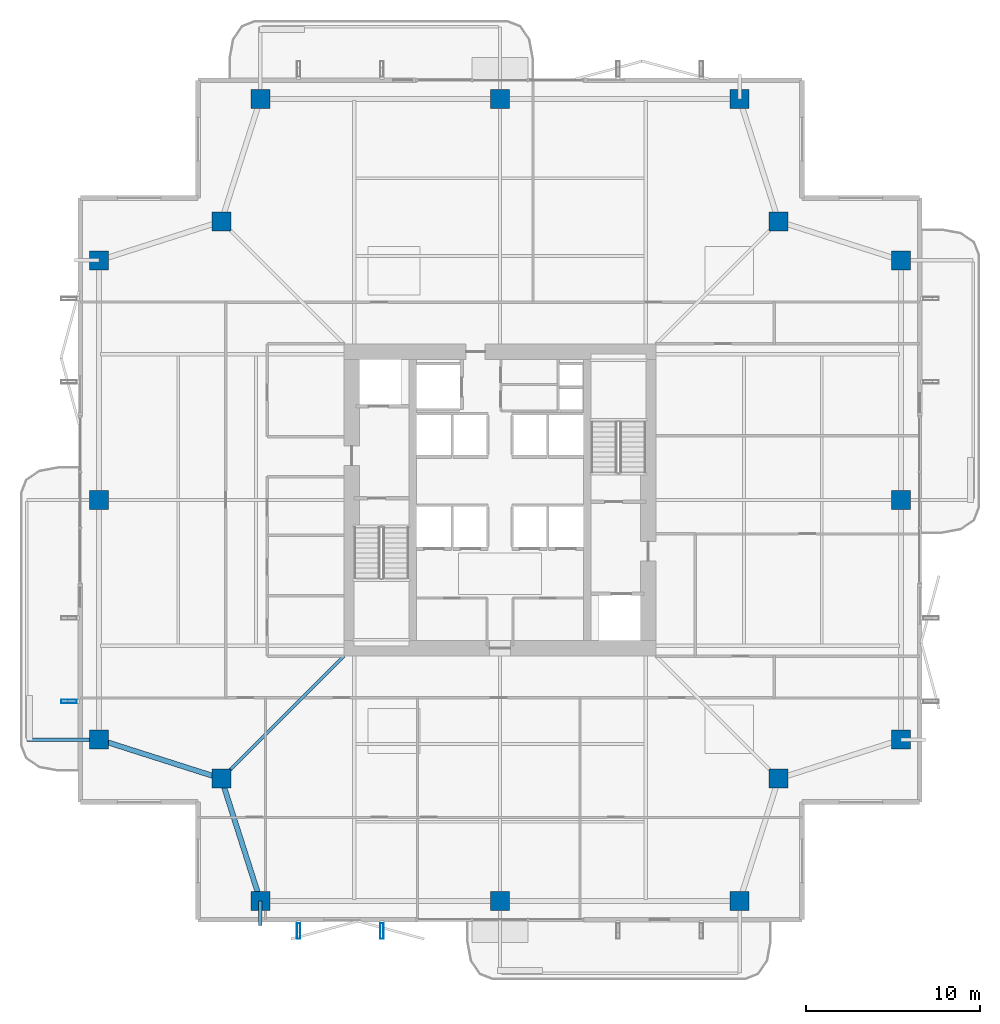
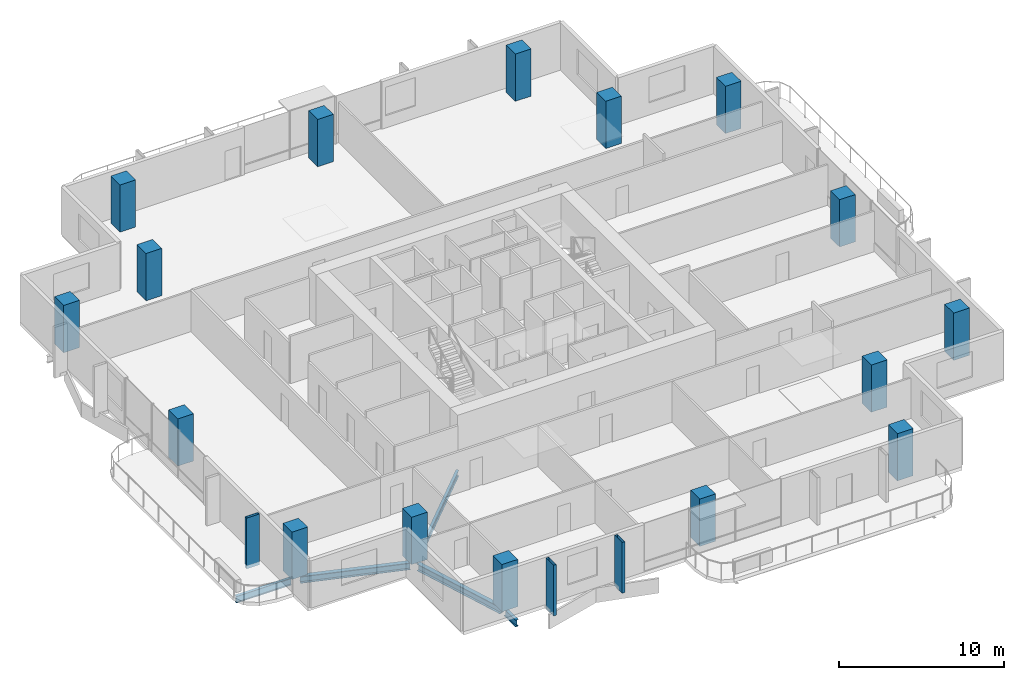
# One storey, part 1 of 25: 16 columns, 5 beams, 3 members.
"""IFC4 building model written with IfcOpenShell, lengths in metres."""

import ifcopenshell
import ifcopenshell.guid

model = None  # the IFC model being written
_history = None  # IfcOwnerHistory: only IFC2X3 demands one
_inside = {}  # id of a spatial element -> (the spatial element, [elements in it])
_under = {}  # id of a project, library or spatial element -> (it, [spatial elements below it])
_declared = {}  # id of a project -> (the project, [libraries it declares])
_typed = {}  # id of a type object -> (the type object, [elements of that type])
_made_of = {}  # id of a material, layer set ... -> (it, [elements and type objects made of it])


def new_model(schema):
    """Start an empty IFC model of exactly this schema.

    Asked for "IFC4X3", IfcOpenShell would pick the latest addendum, in which some entities
    have other attributes; the version numbers below select the first issue.
    IFC2X3 requires an IfcOwnerHistory on every rooted entity: one is made here for all.
    """
    global model, _history
    if schema == "IFC4X3":
        model = ifcopenshell.file(schema_version=(4, 3, 0, 0))
    else:
        model = ifcopenshell.file(schema=schema)
    _inside.clear()
    _under.clear()
    _declared.clear()
    _typed.clear()
    _made_of.clear()
    _history = None
    if model.schema == "IFC2X3":
        org = make("IfcOrganization", Name="unknown")
        user = make(
            "IfcPersonAndOrganization",
            ThePerson=make("IfcPerson", FamilyName="unknown"),
            TheOrganization=org,
        )
        app = make(
            "IfcApplication",
            ApplicationDeveloper=org,
            Version="unknown",
            ApplicationFullName="unknown",
            ApplicationIdentifier="unknown",
        )
        _history = make(
            "IfcOwnerHistory",
            OwningUser=user,
            OwningApplication=app,
            ChangeAction="ADDED",
            CreationDate=0,
        )
    return model


def make(cls, **values):
    """One entity of the class cls with the attributes given. An attribute that is None is left unset."""
    return model.create_entity(
        cls, **{name: value for name, value in values.items() if value is not None}
    )


def rooted(cls, **values):
    """An entity with a GlobalId (a new one), such as an element, a storey or a relation."""
    return make(cls, GlobalId=ifcopenshell.guid.new(), OwnerHistory=_history, **values)


def si_unit(unit_type, name, prefix=None):
    """IfcSIUnit, for example si_unit("LENGTHUNIT", "METRE", prefix="MILLI")."""
    return make("IfcSIUnit", UnitType=unit_type, Prefix=prefix, Name=name)


def assignment(units):
    """IfcUnitAssignment: the units of a project."""
    return None if units is None else make("IfcUnitAssignment", Units=units)


def point(xyz):
    """IfcCartesianPoint."""
    return None if xyz is None else make("IfcCartesianPoint", Coordinates=xyz)


def direction(xyz):
    """IfcDirection."""
    return None if xyz is None else make("IfcDirection", DirectionRatios=xyz)


def frame(location, z_axis=None, x_axis=None):
    """IfcAxis2Placement3D, a coordinate frame: its origin and axes. An axis left out is left unset."""
    return make(
        "IfcAxis2Placement3D",
        Location=point(location),
        Axis=direction(z_axis),
        RefDirection=direction(x_axis),
    )


def frame_2d(location, x_axis=None):
    """IfcAxis2Placement2D, a coordinate frame in the plane: its origin and x axis."""
    return make(
        "IfcAxis2Placement2D", Location=point(location), RefDirection=direction(x_axis)
    )


def origin():
    """The frame at (0, 0, 0) with its axes left unset."""
    return frame((0.0, 0.0, 0.0))


def origin_2d():
    """The frame at (0, 0) in the plane with its x axis left unset."""
    return frame_2d((0.0, 0.0))


def place(relative_to, where):
    """IfcLocalPlacement: puts the frame where relative to a parent placement (None: the world)."""
    return make(
        "IfcLocalPlacement", PlacementRelTo=relative_to, RelativePlacement=where
    )


def context(
    kind, dimensions, precision=None, world=None, true_north=None, identifier=None
):
    """IfcGeometricRepresentationContext, for example the 3D "Model" context."""
    return make(
        "IfcGeometricRepresentationContext",
        ContextIdentifier=identifier,
        ContextType=kind,
        CoordinateSpaceDimension=dimensions,
        Precision=precision,
        WorldCoordinateSystem=world,
        TrueNorth=true_north,
    )


def subcontext(parent, identifier, kind, view, scale=None):
    """IfcGeometricRepresentationSubContext, for example "Body" below "Model"."""
    return make(
        "IfcGeometricRepresentationSubContext",
        ContextIdentifier=identifier,
        ContextType=kind,
        ParentContext=parent,
        TargetScale=scale,
        TargetView=view,
    )


def project(units=None, contexts=None):
    """IfcProject with its units and contexts."""
    return rooted(
        "IfcProject",
        Name="project",
        RepresentationContexts=contexts,
        UnitsInContext=assignment(units),
    )


def spatial(cls, under=None, at=None, **own):
    """A site, building, storey or space (cls), placed at a placement, below another one or the project."""
    s = rooted(cls, ObjectPlacement=at, **own)
    if under is not None:
        _under.setdefault(under.id(), (under, []))[1].append(s)
    return s


def profile(cls, at=None, kind="AREA", **sizes):
    """A parametric profile (cls). Its sizes go by their IFC names, for example OverallWidth=200.0."""
    return make(cls, ProfileType=kind, Position=at, **sizes)


def rectangle(**sizes):
    """IfcRectangleProfileDef."""
    return profile("IfcRectangleProfileDef", **sizes)


def hollow_rectangle(**sizes):
    """IfcRectangleHollowProfileDef."""
    return profile("IfcRectangleHollowProfileDef", **sizes)


def i_section(**sizes):
    """IfcIShapeProfileDef."""
    return profile("IfcIShapeProfileDef", **sizes)


def extrude(swept, where, along, depth):
    """IfcExtrudedAreaSolid: the profile swept, set in the frame where, extruded along a direction by depth."""
    return make(
        "IfcExtrudedAreaSolid",
        SweptArea=swept,
        Position=where,
        ExtrudedDirection=direction(along),
        Depth=depth,
    )


def shape(context_of_items, identifier, shape_type, items):
    """IfcShapeRepresentation: the items that make up one representation, for example the "Body"."""
    return make(
        "IfcShapeRepresentation",
        ContextOfItems=context_of_items,
        RepresentationIdentifier=identifier,
        RepresentationType=shape_type,
        Items=items,
    )


def material(Name=None, Category=None):
    """IfcMaterial."""
    return make("IfcMaterial", Name=Name, Category=Category)


def material_profile(
    of_material, cross_section, Name=None, Category=None, Priority=None
):
    """IfcMaterialProfile: a cross section and its material."""
    return make(
        "IfcMaterialProfile",
        Name=Name,
        Material=of_material,
        Profile=cross_section,
        Priority=Priority,
        Category=Category,
    )


def profile_set(profiles, Name=None, composite=None):
    """IfcMaterialProfileSet."""
    return make(
        "IfcMaterialProfileSet",
        Name=Name,
        MaterialProfiles=profiles,
        CompositeProfile=composite,
    )


def made_of(thing, what):
    """Note that an element or type object is made of a material, layer set ...; save() writes the relation."""
    if what is not None:
        _made_of.setdefault(what.id(), (what, []))[1].append(thing)
    return thing


def type_object(cls, material=None, **own):
    """A type object (cls), such as IfcWallType, which elements share."""
    return made_of(rooted(cls, **own), material)


def element(
    cls,
    number,
    at=None,
    inside=None,
    cuts=None,
    type_object=None,
    material=None,
    context=None,
    identifier="Body",
    shape_type=None,
    held_by="IfcProductDefinitionShape",
    body=None,
    shapes=None,
    **own,
):
    """One element of the class cls, such as IfcWall. Its Tag is "e" and its number.

    at: its placement. inside: the storey or other place that contains it. cuts: it is an
    opening in that element (IfcRelVoidsElement). A single representation is given by context,
    identifier, shape_type and body (its items); several are given by shapes. held_by: the class
    of the entity that holds the representations. save() writes the other relations.
    """
    e = rooted(cls, Tag="e%d" % number, ObjectPlacement=at, **own)
    if body is not None:
        shapes = [shape(context, identifier, shape_type, body)]
    if shapes is not None:
        e.Representation = make(held_by, Representations=shapes)
    if inside is not None:
        _inside.setdefault(inside.id(), (inside, []))[1].append(e)
    if cuts is not None:
        rooted(
            "IfcRelVoidsElement", RelatingBuildingElement=cuts, RelatedOpeningElement=e
        )
    if type_object is not None:
        _typed.setdefault(type_object.id(), (type_object, []))[1].append(e)
    return made_of(e, material)


def aggregate(whole, parts):
    """IfcRelAggregates: a whole, such as a stair, and the parts it consists of."""
    return rooted("IfcRelAggregates", RelatingObject=whole, RelatedObjects=parts)


def save(model, path):
    """Write the relations noted so far, then the file.

    IfcRelAggregates (storeys below a building ...), IfcRelContainedInSpatialStructure (elements
    in a storey), IfcRelDefinesByType, IfcRelAssociatesMaterial and IfcRelDeclares: one each for
    every whole, place, type object, material and project.
    """
    for whole, parts in _under.values():
        aggregate(whole, parts)
    for where, things in _inside.values():
        rooted(
            "IfcRelContainedInSpatialStructure",
            RelatedElements=things,
            RelatingStructure=where,
        )
    for kind, things in _typed.values():
        rooted("IfcRelDefinesByType", RelatedObjects=things, RelatingType=kind)
    for what, things in _made_of.values():
        rooted("IfcRelAssociatesMaterial", RelatedObjects=things, RelatingMaterial=what)
    for by, libraries in _declared.values():
        rooted("IfcRelDeclares", RelatingContext=by, RelatedDefinitions=libraries)
    model.write(path)


model = new_model("IFC4")

# Units and contexts
model_context = context("Model", 3, precision=1e-05, world=origin(), true_north=direction((0.0, 1.0)))
body_context = subcontext(model_context, "Body", "Model", "MODEL_VIEW")
ifc_project = project(units=[si_unit("LENGTHUNIT", "METRE"), si_unit("AREAUNIT", "SQUARE_METRE"), si_unit("VOLUMEUNIT", "CUBIC_METRE"), si_unit("PLANEANGLEUNIT", "RADIAN"), si_unit("MASSUNIT", "GRAM", prefix="KILO")], contexts=[model_context])

# Site, building, storey
site_placement = place(None, origin())
site = spatial("IfcSite", under=ifc_project, at=site_placement, CompositionType="ELEMENT")
building_placement = place(site_placement, origin())
building = spatial("IfcBuilding", under=site, at=building_placement, Name="Belovzor Exchange Tower", CompositionType="ELEMENT")
storey_placement = place(building_placement, frame((0.0, 0.0, 187.050048828125)))
storey = spatial("IfcBuildingStorey", under=building, at=storey_placement, Name="L46", CompositionType="ELEMENT", Elevation=187.050048828125)

# Columns
ifc_material_1 = material(Name="Concrete C50/60", Category="concrete")
ifc_material_profile_1 = material_profile(ifc_material_1, rectangle(XDim=1.10009765625, YDim=1.10009765625, at=origin_2d()))
ifc_profile_set_1 = profile_set([ifc_material_profile_1], Name="Concrete C50/60")
column_type = type_object("IfcColumnType", Name="Reinforced Concrete Tower Column 1100x1100", PredefinedType="COLUMN", material=ifc_profile_set_1)
for number, where, z_axis, x_axis, name in (
    (1, (15.0, 5.699951171875, 0.0029296875), (0.0, 0.0, 1.0), (1.0, 0.0, 0.0), "COL-T110 Reinforced Concrete Tower Column 1100x1100"),
    (2, (28.800048828125, 5.699951171875, 0.0029296875), (0.0, 0.0, 1.0), (1.0, 0.0, 0.0), "COL-T110 Reinforced Concrete Tower Column 1100x1100"),
    (3, (42.60009765625, 5.699951171875, 0.0029296875), (0.0, 0.0, 1.0), (1.0, 0.0, 0.0), "COL-T110 Reinforced Concrete Tower Column 1100x1100"),
    (4, (51.89990234375, 15.0, 0.0029296875), (0.0, 0.0, 1.0), (1.0, 0.0, 0.0), "COL-T110 Reinforced Concrete Tower Column 1100x1100"),
    (5, (51.89990234375, 28.800048828125, 0.0029296875), (0.0, 0.0, 1.0), (1.0, 0.0, 0.0), "COL-T110 Reinforced Concrete Tower Column 1100x1100"),
    (6, (51.89990234375, 42.60009765625, 0.0029296875), (0.0, 0.0, 1.0), (1.0, 0.0, 0.0), "COL-T110 Reinforced Concrete Tower Column 1100x1100"),
    (7, (42.60009765625, 51.89990234375, 0.0029296875), (0.0, 0.0, 1.0), (1.0, 0.0, 0.0), "COL-T110 Reinforced Concrete Tower Column 1100x1100"),
    (8, (28.800048828125, 51.89990234375, 0.0029296875), (0.0, 0.0, 1.0), (1.0, 0.0, 0.0), "COL-T110 Reinforced Concrete Tower Column 1100x1100"),
    (9, (15.0, 51.89990234375, 0.0029296875), (0.0, 0.0, 1.0), (1.0, 0.0, 0.0), "COL-T110 Reinforced Concrete Tower Column 1100x1100"),
    (10, (5.699951171875, 42.60009765625, 0.0029296875), (0.0, 0.0, 1.0), (1.0, 0.0, 0.0), "COL-T110 Reinforced Concrete Tower Column 1100x1100"),
    (11, (5.699951171875, 28.800048828125, 0.0029296875), (0.0, 0.0, 1.0), (1.0, 0.0, 0.0), "COL-T110 Reinforced Concrete Tower Column 1100x1100"),
    (12, (5.699951171875, 15.0, 0.0029296875), (0.0, 0.0, 1.0), (1.0, 0.0, 0.0), "COL-T110 Reinforced Concrete Tower Column 1100x1100"),
    (13, (12.75, 12.75, 0.0029296875), (0.0, 0.0, 1.0), (1.0, 0.0, 0.0), "COL-T110 Reinforced Concrete Tower Column 1100x1100"),
    (14, (44.85009765625, 12.75, 0.0029296875), (0.0, 0.0, 1.0), (1.0, 0.0, 0.0), "COL-T110 Reinforced Concrete Tower Column 1100x1100"),
    (15, (44.85009765625, 44.85009765625, 0.0029296875), (0.0, 0.0, 1.0), (1.0, 0.0, 0.0), "COL-T110 Reinforced Concrete Tower Column 1100x1100"),
    (16, (12.75, 44.85009765625, 0.0029296875), (0.0, 0.0, 1.0), (1.0, 0.0, 0.0), "COL-T110 Reinforced Concrete Tower Column 1100x1100"),
):
    element("IfcColumn", number, at=place(storey_placement, frame(where, z_axis=z_axis, x_axis=x_axis)), inside=storey, type_object=column_type, Name=name, PredefinedType="COLUMN", context=body_context, shape_type="SweptSolid", body=[
        extrude(rectangle(XDim=1.10009765625, YDim=1.10009765625, at=origin_2d()), origin(), (0.0, 0.0, 1.0), 3.489013671875),
    ])

# Beams
ifc_material_2 = material(Name="Steel S355", Category="steel")
ifc_material_profile_2 = material_profile(ifc_material_2, i_section(OverallWidth=0.199951171875, OverallDepth=0.5, WebThickness=0.01025390625, FlangeThickness=0.01611328125, at=origin_2d()))
ifc_profile_set_2 = profile_set([ifc_material_profile_2], Name="Steel S355")
beam_type_1 = type_object("IfcBeamType", Name="Planted Balcony Cantilever Beam IPE 500", PredefinedType="BEAM", material=ifc_profile_set_2)
beam_1_placement = place(storey_placement, frame((5.39697265625, 15.0, -0.505126953125), z_axis=(-1.0, 0.0, 0.0), x_axis=(0.0, -1.0, 0.0)))
element("IfcBeam", 17, at=beam_1_placement, inside=storey, type_object=beam_type_1, Name="BC-500 Planted Balcony Cantilever Beam IPE 500", PredefinedType="BEAM", context=body_context, shape_type="SweptSolid", body=[
    extrude(i_section(OverallWidth=0.199951171875, OverallDepth=0.5, WebThickness=0.01025390625, FlangeThickness=0.01611328125, at=origin_2d()), origin(), (0.0, 0.0, 1.0), 3.849853515625),
])
beam_2_placement = place(storey_placement, frame((15.0, 5.699951171875, -0.505126953125), z_axis=(0.0, -1.0, 0.0), x_axis=(1.0, 0.0, 0.0)))
element("IfcBeam", 18, at=beam_2_placement, inside=storey, type_object=beam_type_1, Name="BC-500 Planted Balcony Cantilever Beam IPE 500", PredefinedType="BEAM", context=body_context, shape_type="SweptSolid", body=[
    extrude(i_section(OverallWidth=0.199951171875, OverallDepth=0.5, WebThickness=0.01025390625, FlangeThickness=0.01611328125, at=origin_2d()), origin(), (0.0, 0.0, 1.0), 1.39990234375),
])

# Members
ifc_material_3 = material(Name="Extruded Architectural Terracotta on Steel S355 Carrier", Category="masonry")
ifc_material_profile_3 = material_profile(ifc_material_3, hollow_rectangle(XDim=0.199951171875, YDim=0.89990234375, WallThickness=0.011962890625, at=origin_2d()))
ifc_profile_set_3 = profile_set([ifc_material_profile_3], Name="Extruded Architectural Terracotta on Steel S355 Carrier")
member_type = type_object("IfcMemberType", Name="Sweeping Terracotta Baguette Fin Assembly 1250", PredefinedType="USERDEFINED", material=ifc_profile_set_3)
for number, where, z_axis, x_axis, name in (
    (19, (17.199951171875, 3.97509765625, -0.255126953125), (0.0, 0.0, 1.0), (1.0, 0.0, 0.0), "FIN-TC125 Terracotta Facade Fin L46 S1"),
    (20, (3.97509765625, 17.199951171875, -0.255126953125), (0.0, 0.0, 1.0), (0.0, 1.0, 0.0), "FIN-TC125 Terracotta Facade Fin L46 W1"),
    (21, (22.0, 3.97509765625, -0.255126953125), (0.0, 0.0, 1.0), (1.0, 0.0, 0.0), "FIN-TC125 Terracotta Facade Fin L46 S2"),
):
    element("IfcMember", number, at=place(storey_placement, frame(where, z_axis=z_axis, x_axis=x_axis)), inside=storey, type_object=member_type, Name=name, ObjectType="FIN", PredefinedType="USERDEFINED", context=body_context, shape_type="SweptSolid", body=[
        extrude(hollow_rectangle(XDim=0.199951171875, YDim=0.89990234375, WallThickness=0.011962890625, at=origin_2d()), origin(), (0.0, 0.0, 1.0), 3.75),
    ])

# Beams
ifc_material_4 = material(Name="Steel S355", Category="steel")
ifc_material_profile_4 = material_profile(ifc_material_4, i_section(OverallWidth=0.18994140625, OverallDepth=0.449951171875, WebThickness=0.009521484375, FlangeThickness=0.0146484375, at=origin_2d()))
ifc_profile_set_4 = profile_set([ifc_material_profile_4], Name="Steel S355")
beam_type_2 = type_object("IfcBeamType", Name="Zone 2-4 Radial Composite Floor Beam IPE 450", PredefinedType="BEAM", material=ifc_profile_set_4)
beam_3_placement = place(storey_placement, frame((19.800048828125, 19.800048828125, -0.47998046875), z_axis=(-0.707106781187, -0.707106781187, 0.0), x_axis=(0.707106781187, -0.707106781187, 0.0)))
element("IfcBeam", 22, at=beam_3_placement, inside=storey, type_object=beam_type_2, Name="FB-450 Zone 2-4 Radial Composite Floor Beam IPE 450", PredefinedType="BEAM", context=body_context, shape_type="SweptSolid", body=[
    extrude(i_section(OverallWidth=0.18994140625, OverallDepth=0.449951171875, WebThickness=0.009521484375, FlangeThickness=0.0146484375, at=origin_2d()), origin(), (0.0, 0.0, 1.0), 9.58154296875),
])
ifc_material_5 = material(Name="Steel S355", Category="steel")
ifc_material_profile_5 = material_profile(ifc_material_5, i_section(OverallWidth=0.300048828125, OverallDepth=0.5, WebThickness=0.014404296875, FlangeThickness=0.028076171875, at=origin_2d()))
ifc_profile_set_5 = profile_set([ifc_material_profile_5], Name="Steel S355")
beam_type_3 = type_object("IfcBeamType", Name="Zone 3 Waist Primary Girder HEB 500", PredefinedType="BEAM", material=ifc_profile_set_5)
for number, where, z_axis, x_axis, name in (
    (23, (12.842041015625, 12.4619140625, -0.505126953125), (0.304011730457, -0.952668288411, 0.0), (0.952668288411, 0.304011730457, 0.0), "FG-Z3 Zone 3 Waist Primary Girder HEB 500"),
    (24, (5.988037109375, 14.907958984375, -0.505126953125), (0.952668288411, -0.304011730457, 0.0), (0.304011730457, 0.952668288411, 0.0), "FG-Z3 Zone 3 Waist Primary Girder HEB 500"),
):
    element("IfcBeam", number, at=place(storey_placement, frame(where, z_axis=z_axis, x_axis=x_axis)), inside=storey, type_object=beam_type_3, Name=name, PredefinedType="BEAM", context=body_context, shape_type="SweptSolid", body=[
        extrude(i_section(OverallWidth=0.300048828125, OverallDepth=0.5, WebThickness=0.014404296875, FlangeThickness=0.028076171875, at=origin_2d()), origin(), (0.0, 0.0, 1.0), 6.79541015625),
    ])

save(model, "model.ifc")
